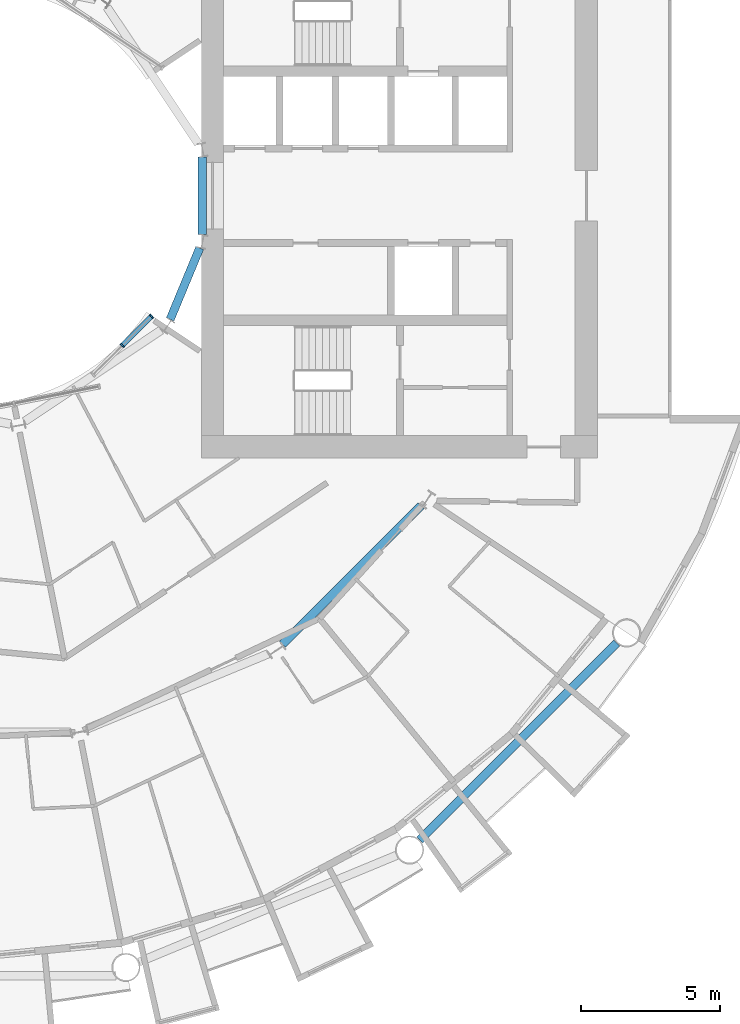
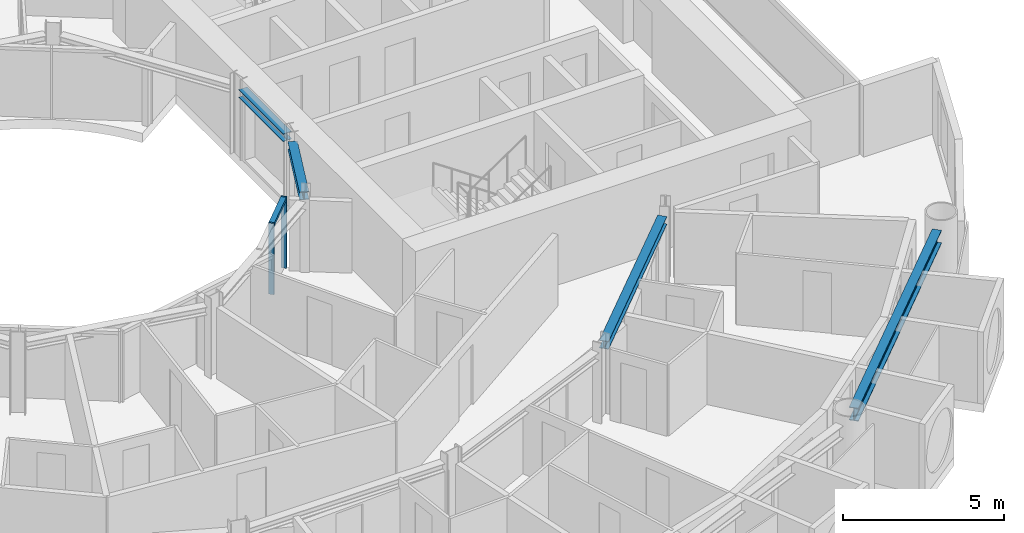
# One storey, part 6 of 26: 4 beams, 3 members, 1 element without a shape of its own.
"""IFC4 building model written with IfcOpenShell, lengths in metres."""

from ifc_helpers import new_model, si_unit, direction, frame, origin, origin_2d, place, context, subcontext, project, spatial, rectangle, i_section, extrude, material, layer, layer_set, material_profile, profile_set, type_object, element, aggregate, save


model = new_model("IFC4")

# Units and contexts
model_context = context("Model", 3, precision=1e-05, world=origin(), true_north=direction((0.0, 1.0)))
body_context = subcontext(model_context, "Body", "Model", "MODEL_VIEW")
ifc_project = project(units=[si_unit("LENGTHUNIT", "METRE"), si_unit("AREAUNIT", "SQUARE_METRE"), si_unit("VOLUMEUNIT", "CUBIC_METRE"), si_unit("PLANEANGLEUNIT", "RADIAN"), si_unit("MASSUNIT", "GRAM", prefix="KILO")], contexts=[model_context])

# Site, building, storey
site_placement = place(None, origin())
site = spatial("IfcSite", under=ifc_project, at=site_placement, CompositionType="ELEMENT")
building_placement = place(site_placement, origin())
building = spatial("IfcBuilding", under=site, at=building_placement, Name="Maasbend Ring Residences", CompositionType="ELEMENT")
storey_placement = place(building_placement, frame((0.0, 0.0, 22.800048828125)))
storey = spatial("IfcBuildingStorey", under=building, at=storey_placement, Name="L05", CompositionType="ELEMENT", Elevation=22.800048828125)

# Curtain wall, members
ifc_material_1 = material(Name="Aluminium and clear glass", Category="aluminium")
ifc_layer = layer(ifc_material_1, 0.179931640625)
ifc_layer_set = layer_set([ifc_layer], Name="CW-W")
curtain_wall_type = type_object("IfcCurtainWallType", Name="CW-W", PredefinedType="NOTDEFINED", material=ifc_layer_set)
curtain_wall_placement = place(storey_placement, origin())
curtain_wall = element("IfcCurtainWall", 1, at=curtain_wall_placement, inside=storey, type_object=curtain_wall_type, Name="Well curtain wall S3", PredefinedType="NOTDEFINED")
ifc_material_2 = material(Name="Aluminium 6063-T6", Category="aluminium")
ifc_material_profile_1 = material_profile(ifc_material_2, rectangle(XDim=0.179931640625, YDim=0.06005859375, at=origin_2d()), Name="AL 180x60")
ifc_profile_set_1 = profile_set([ifc_material_profile_1], Name="Aluminium 6063-T6")
member_type_1 = type_object("IfcMemberType", Name="CWM-W", PredefinedType="MULLION", material=ifc_profile_set_1)
member_1_placement = place(storey_placement, frame((5.366943359375, -5.366943359375, 0.0), z_axis=(0.0, 0.0, 1.0), x_axis=(-0.707106781187, 0.707106781187, 0.0)))
member_1 = element("IfcMember", 2, at=member_1_placement, type_object=member_type_1, Name="Mullion well face", PredefinedType="MULLION", context=body_context, shape_type="SweptSolid", body=[
    extrude(rectangle(XDim=0.179931640625, YDim=0.06005859375, at=origin_2d()), origin(), (0.0, 0.0, 1.0), 2.699951171875),
])
member_2_placement = place(storey_placement, frame((6.413330078125, -4.320556640625, 0.0), z_axis=(0.0, 0.0, 1.0), x_axis=(-0.707106781187, 0.707106781187, 0.0)))
member_2 = element("IfcMember", 3, at=member_2_placement, type_object=member_type_1, Name="Mullion well face", PredefinedType="MULLION", context=body_context, shape_type="SweptSolid", body=[
    extrude(rectangle(XDim=0.179931640625, YDim=0.06005859375, at=origin_2d()), origin(), (0.0, 0.0, 1.0), 2.699951171875),
])
ifc_material_3 = material(Name="Aluminium 6063-T6", Category="aluminium")
ifc_material_profile_2 = material_profile(ifc_material_3, rectangle(XDim=0.179931640625, YDim=0.1201171875, at=origin_2d()), Name="AL 180x120")
ifc_profile_set_2 = profile_set([ifc_material_profile_2], Name="Aluminium 6063-T6")
member_type_2 = type_object("IfcMemberType", Name="CWT-W", PredefinedType="USERDEFINED", material=ifc_profile_set_2)
member_3_placement = place(storey_placement, frame((5.38818359375, -5.345703125, 2.639892578125), z_axis=(0.707106781187, 0.707106781187, 0.0), x_axis=(-0.707106781187, 0.707106781187, 0.0)))
member_3 = element("IfcMember", 4, at=member_3_placement, type_object=member_type_2, Name="Transom well face", ObjectType="TRANSOM", PredefinedType="USERDEFINED", context=body_context, shape_type="SweptSolid", body=[
    extrude(rectangle(XDim=0.179931640625, YDim=0.1201171875, at=origin_2d()), origin(), (0.0, 0.0, 1.0), 1.419677734375),
])
aggregate(curtain_wall, [member_1, member_2, member_3])

# Beams
ifc_material_4 = material(Name="Steel S355J2", Category="steel")
ifc_material_profile_3 = material_profile(ifc_material_4, i_section(OverallWidth=0.300048828125, OverallDepth=0.300048828125, WebThickness=0.010986328125, FlangeThickness=0.01904296875, FilletRadius=0.027099609375, at=origin_2d()), Name="HEB 300")
ifc_profile_set_3 = profile_set([ifc_material_profile_3], Name="Steel S355J2")
beam_type_1 = type_object("IfcBeamType", Name="Corridor ring beam HEB 300", PredefinedType="BEAM", material=ifc_profile_set_3)
beam_1_placement = place(storey_placement, frame((11.11279296875, -16.0732421875, 2.550048828125), z_axis=(0.707106781187, 0.707106781187, 0.0), x_axis=(-0.707106781187, 0.707106781187, 0.0)))
element("IfcBeam", 5, at=beam_1_placement, inside=storey, type_object=beam_type_1, Name="Corridor ring beam", PredefinedType="BEAM", context=body_context, shape_type="SweptSolid", body=[
    extrude(i_section(OverallWidth=0.300048828125, OverallDepth=0.300048828125, WebThickness=0.010986328125, FlangeThickness=0.01904296875, FilletRadius=0.027099609375, at=origin_2d()), origin(), (0.0, 0.0, 1.0), 7.01513671875),
])
ifc_material_5 = material(Name="Steel S355J2", Category="steel")
ifc_material_profile_4 = material_profile(ifc_material_5, i_section(OverallWidth=0.300048828125, OverallDepth=0.5, WebThickness=0.014404296875, FlangeThickness=0.028076171875, FilletRadius=0.027099609375, at=origin_2d()), Name="HEB 500")
ifc_profile_set_4 = profile_set([ifc_material_profile_4], Name="Steel S355J2")
beam_type_2 = type_object("IfcBeamType", Name="Spandrel ring beam HEB 500", PredefinedType="SPANDREL", material=ifc_profile_set_4)
beam_2_placement = place(storey_placement, frame((16.0263671875, -23.088134765625, 2.449951171875), z_axis=(0.707106781187, 0.707106781187, 0.0), x_axis=(-0.707106781187, 0.707106781187, 0.0)))
element("IfcBeam", 6, at=beam_2_placement, inside=storey, type_object=beam_type_2, Name="Spandrel ring beam", PredefinedType="SPANDREL", context=body_context, shape_type="SweptSolid", body=[
    extrude(i_section(OverallWidth=0.300048828125, OverallDepth=0.5, WebThickness=0.014404296875, FlangeThickness=0.028076171875, FilletRadius=0.027099609375, at=origin_2d()), origin(), (0.0, 0.0, 1.0), 9.98681640625),
])
ifc_material_6 = material(Name="Steel S355J2", Category="steel")
ifc_material_profile_5 = material_profile(ifc_material_6, i_section(OverallWidth=0.300048828125, OverallDepth=0.300048828125, WebThickness=0.010986328125, FlangeThickness=0.01904296875, FilletRadius=0.027099609375, at=origin_2d()), Name="HEB 300")
ifc_profile_set_5 = profile_set([ifc_material_profile_5], Name="Steel S355J2")
beam_type_3 = type_object("IfcBeamType", Name="Well edge beam HEB 300", PredefinedType="BEAM", material=ifc_profile_set_5)
beam_3_placement = place(storey_placement, frame((7.081787109375, -4.431396484375, 2.550048828125), z_axis=(0.382723119906, 0.923863092395, 0.0), x_axis=(-0.923863092395, 0.382723119906, 0.0)))
element("IfcBeam", 7, at=beam_3_placement, inside=storey, type_object=beam_type_3, Name="Well edge beam", PredefinedType="BEAM", context=body_context, shape_type="SweptSolid", body=[
    extrude(i_section(OverallWidth=0.300048828125, OverallDepth=0.300048828125, WebThickness=0.010986328125, FlangeThickness=0.01904296875, FilletRadius=0.027099609375, at=origin_2d()), origin(), (0.0, 0.0, 1.0), 2.767822265625),
])
beam_4_placement = place(storey_placement, frame((8.238525390625, -1.3837890625, 2.550048828125), z_axis=(0.0, 1.0, 0.0), x_axis=(-1.0, 0.0, 0.0)))
element("IfcBeam", 8, at=beam_4_placement, inside=storey, type_object=beam_type_3, Name="Well edge beam", PredefinedType="BEAM", context=body_context, shape_type="SweptSolid", body=[
    extrude(i_section(OverallWidth=0.300048828125, OverallDepth=0.300048828125, WebThickness=0.010986328125, FlangeThickness=0.01904296875, FilletRadius=0.027099609375, at=origin_2d()), origin(), (0.0, 0.0, 1.0), 2.767578125),
])

save(model, "model.ifc")
